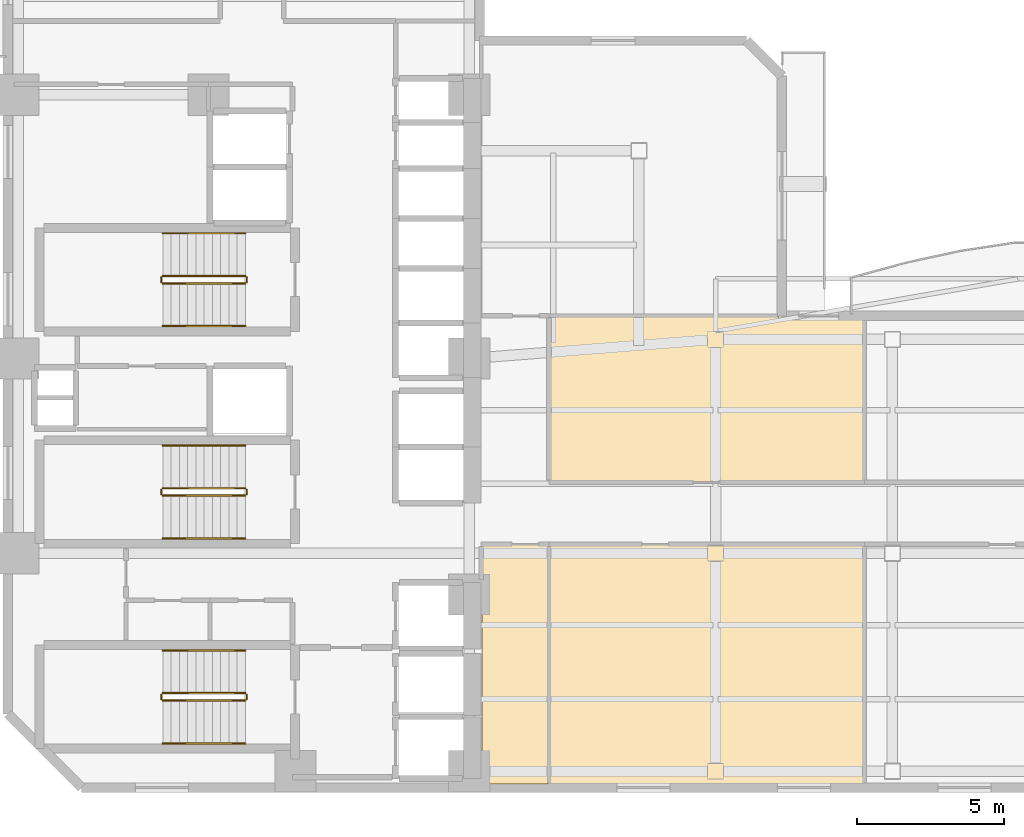
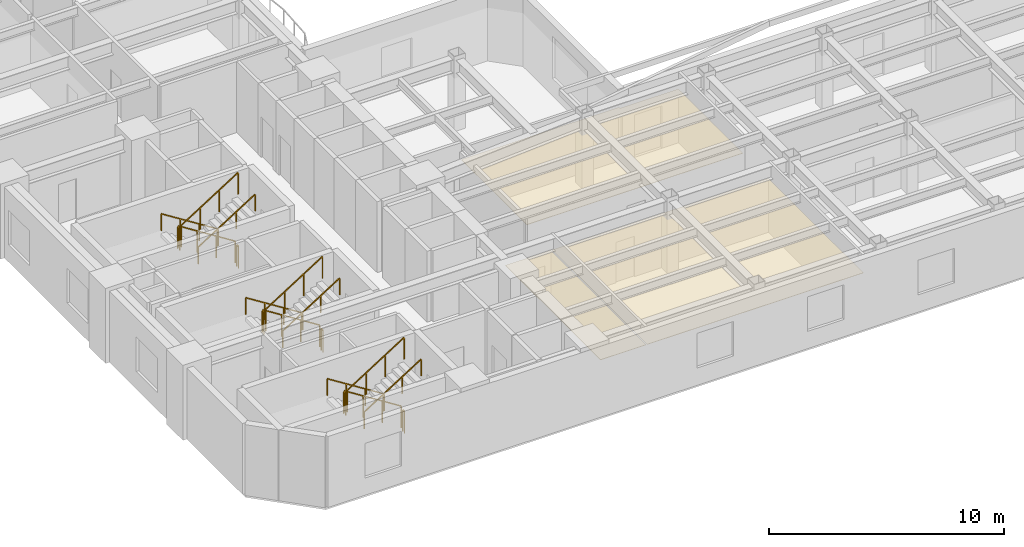
# One storey, part 8 of 11: 18 railings, 3 coverings.
"""IFC4 building model written with IfcOpenShell, lengths in metres."""

from ifc_helpers import new_model, si_unit, direction, frame, origin, origin_2d, place, context, subcontext, project, spatial, polyline, rectangle, outline, extrude, material, layer, layer_set, type_object, element, save


model = new_model("IFC4")

# Units and contexts
model_context = context("Model", 3, precision=1e-05, world=origin(), true_north=direction((0.0, 1.0)))
body_context = subcontext(model_context, "Body", "Model", "MODEL_VIEW")
ifc_project = project(units=[si_unit("LENGTHUNIT", "METRE"), si_unit("AREAUNIT", "SQUARE_METRE"), si_unit("VOLUMEUNIT", "CUBIC_METRE"), si_unit("PLANEANGLEUNIT", "RADIAN"), si_unit("MASSUNIT", "GRAM", prefix="KILO")], contexts=[model_context])

# Site, building, storey
site_placement = place(None, origin())
site = spatial("IfcSite", under=ifc_project, at=site_placement, CompositionType="ELEMENT")
building_placement = place(site_placement, origin())
building = spatial("IfcBuilding", under=site, at=building_placement, Name="Mawjaban Terraces University", CompositionType="ELEMENT")
storey_placement = place(building_placement, frame((0.0, 0.0, 77.800048828125)))
storey = spatial("IfcBuildingStorey", under=building, at=storey_placement, Name="L18", CompositionType="ELEMENT", Elevation=77.800048828125)

# Coverings
ifc_material_1 = material(Name="Acoustic mineral fibre ceiling tile", Category="masonry")
ifc_layer = layer(ifc_material_1, 0.02001953125)
ifc_layer_set = layer_set([ifc_layer], Name="Acoustic mineral fibre ceiling tile")
covering_type = type_object("IfcCoveringType", Name="AcousticMineralCeiling_20", PredefinedType="CEILING", material=ifc_layer_set)
covering_1_placement = place(storey_placement, frame((0.0, 0.0, 2.75)))
element("IfcCovering", 1, at=covering_1_placement, inside=storey, type_object=covering_type, Name="L18 Academic Counseling Room 1 Acoustic Ceiling", PredefinedType="CEILING", context=body_context, shape_type="SweptSolid", body=[
    extrude(outline(polyline([(38.080078125, 0.114990234375), (40.320068359375, 0.114990234375), (40.320068359375, 8.219970703125), (38.080078125, 8.219970703125), (38.080078125, 0.114990234375)])), origin(), (0.0, 0.0, 1.0), 0.02001953125),
])
covering_2_placement = place(storey_placement, frame((0.0, 0.0, 2.75)))
element("IfcCovering", 2, at=covering_2_placement, inside=storey, type_object=covering_type, Name="L18 Academic Counseling Room 2 Acoustic Ceiling", PredefinedType="CEILING", context=body_context, shape_type="SweptSolid", body=[
    extrude(outline(polyline([(40.3798828125, 0.114990234375), (51.014892578125, 0.114990234375), (51.014892578125, 8.219970703125), (40.3798828125, 8.219970703125), (40.3798828125, 0.114990234375)])), origin(), (0.0, 0.0, 1.0), 0.02001953125),
])
covering_3_placement = place(storey_placement, frame((0.0, 0.0, 2.75)))
element("IfcCovering", 3, at=covering_3_placement, inside=storey, type_object=covering_type, Name="L18 Academic Counseling Room 3 Acoustic Ceiling", PredefinedType="CEILING", context=body_context, shape_type="SweptSolid", body=[
    extrude(outline(polyline([(51.014892578125, 15.885009765625), (48.135009765625, 15.885009765625), (48.135009765625, 15.969970703125), (40.3798828125, 15.969970703125), (40.3798828125, 10.3798828125), (51.014892578125, 10.3798828125), (51.014892578125, 15.885009765625)])), origin(), (0.0, 0.0, 1.0), 0.02001953125),
])

# Railings
ifc_material_2 = material(Name="Brushed stainless steel 316", Category="steel")
railing_type_1 = type_object("IfcRailingType", Name="StairWallHandrail_900", PredefinedType="HANDRAIL", material=ifc_material_2)
railing_1_placement = place(storey_placement, frame((30.050048828125, 4.64990234375, 0.17724609375)))
element("IfcRailing", 4, at=railing_1_placement, inside=storey, type_object=railing_type_1, Name="L18 ST-1 stair handrail 1", PredefinedType="HANDRAIL", context=body_context, shape_type="SweptSolid", body=[
    extrude(rectangle(XDim=0.048095703125, YDim=0.048095703125, at=origin_2d()), frame((0.0, 0.0, 0.8759765625), z_axis=(-0.844908973607, 0.0, 0.534910110503), x_axis=(0.0, -1.0, 0.0)), (0.0, 0.0, 1.0), 3.31396484375),
    extrude(rectangle(XDim=0.0419921875, YDim=0.0419921875, at=origin_2d()), origin(), (0.0, 0.0, 1.0), 0.851806640625),
    extrude(rectangle(XDim=0.0419921875, YDim=0.0419921875, at=origin_2d()), frame((-0.933349609375, 0.0, 0.5908203125)), (0.0, 0.0, 1.0), 0.851806640625),
    extrude(rectangle(XDim=0.0419921875, YDim=0.0419921875, at=origin_2d()), frame((-1.86669921875, 0.0, 1.181884765625)), (0.0, 0.0, 1.0), 0.851806640625),
    extrude(rectangle(XDim=0.0419921875, YDim=0.0419921875, at=origin_2d()), frame((-2.800048828125, 0.0, 1.772705078125)), (0.0, 0.0, 1.0), 0.851806640625),
])
railing_2_placement = place(storey_placement, frame((27.25, 1.5, 2.127197265625)))
element("IfcRailing", 5, at=railing_2_placement, inside=storey, type_object=railing_type_1, Name="L18 ST-1 stair handrail 2", PredefinedType="HANDRAIL", context=body_context, shape_type="SweptSolid", body=[
    extrude(rectangle(XDim=0.048095703125, YDim=0.048095703125, at=origin_2d()), frame((0.0, 0.0, 0.8759765625), z_axis=(0.844908973607, 0.0, 0.534910110503), x_axis=(0.0, 1.0, 0.0)), (0.0, 0.0, 1.0), 3.31396484375),
    extrude(rectangle(XDim=0.0419921875, YDim=0.0419921875, at=origin_2d()), origin(), (0.0, 0.0, 1.0), 0.851806640625),
    extrude(rectangle(XDim=0.0419921875, YDim=0.0419921875, at=origin_2d()), frame((0.933349609375, 0.0, 0.5908203125)), (0.0, 0.0, 1.0), 0.851806640625),
    extrude(rectangle(XDim=0.0419921875, YDim=0.0419921875, at=origin_2d()), frame((1.86669921875, 0.0, 1.181884765625)), (0.0, 0.0, 1.0), 0.851806640625),
    extrude(rectangle(XDim=0.0419921875, YDim=0.0419921875, at=origin_2d()), frame((2.800048828125, 0.0, 1.772705078125)), (0.0, 0.0, 1.0), 0.851806640625),
])
railing_3_placement = place(storey_placement, frame((30.050048828125, 18.800048828125, 0.17724609375)))
element("IfcRailing", 6, at=railing_3_placement, inside=storey, type_object=railing_type_1, Name="L18 ST-2 stair handrail 1", PredefinedType="HANDRAIL", context=body_context, shape_type="SweptSolid", body=[
    extrude(rectangle(XDim=0.048095703125, YDim=0.048095703125, at=origin_2d()), frame((0.0, 0.0, 0.8759765625), z_axis=(-0.844908973607, 0.0, 0.534910110503), x_axis=(0.0, -1.0, 0.0)), (0.0, 0.0, 1.0), 3.31396484375),
    extrude(rectangle(XDim=0.0419921875, YDim=0.0419921875, at=origin_2d()), origin(), (0.0, 0.0, 1.0), 0.851806640625),
    extrude(rectangle(XDim=0.0419921875, YDim=0.0419921875, at=origin_2d()), frame((-0.933349609375, 0.0, 0.5908203125)), (0.0, 0.0, 1.0), 0.851806640625),
    extrude(rectangle(XDim=0.0419921875, YDim=0.0419921875, at=origin_2d()), frame((-1.86669921875, 0.0, 1.181884765625)), (0.0, 0.0, 1.0), 0.851806640625),
    extrude(rectangle(XDim=0.0419921875, YDim=0.0419921875, at=origin_2d()), frame((-2.800048828125, 0.0, 1.772705078125)), (0.0, 0.0, 1.0), 0.851806640625),
])
railing_4_placement = place(storey_placement, frame((27.25, 15.64990234375, 2.127197265625)))
element("IfcRailing", 7, at=railing_4_placement, inside=storey, type_object=railing_type_1, Name="L18 ST-2 stair handrail 2", PredefinedType="HANDRAIL", context=body_context, shape_type="SweptSolid", body=[
    extrude(rectangle(XDim=0.048095703125, YDim=0.048095703125, at=origin_2d()), frame((0.0, 0.0, 0.8759765625), z_axis=(0.844908973607, 0.0, 0.534910110503), x_axis=(0.0, 1.0, 0.0)), (0.0, 0.0, 1.0), 3.31396484375),
    extrude(rectangle(XDim=0.0419921875, YDim=0.0419921875, at=origin_2d()), origin(), (0.0, 0.0, 1.0), 0.851806640625),
    extrude(rectangle(XDim=0.0419921875, YDim=0.0419921875, at=origin_2d()), frame((0.933349609375, 0.0, 0.5908203125)), (0.0, 0.0, 1.0), 0.851806640625),
    extrude(rectangle(XDim=0.0419921875, YDim=0.0419921875, at=origin_2d()), frame((1.86669921875, 0.0, 1.181884765625)), (0.0, 0.0, 1.0), 0.851806640625),
    extrude(rectangle(XDim=0.0419921875, YDim=0.0419921875, at=origin_2d()), frame((2.800048828125, 0.0, 1.772705078125)), (0.0, 0.0, 1.0), 0.851806640625),
])
railing_5_placement = place(storey_placement, frame((30.050048828125, 11.60009765625, 0.17724609375)))
element("IfcRailing", 8, at=railing_5_placement, inside=storey, type_object=railing_type_1, Name="L18 ST-3 stair handrail 1", PredefinedType="HANDRAIL", context=body_context, shape_type="SweptSolid", body=[
    extrude(rectangle(XDim=0.048095703125, YDim=0.048095703125, at=origin_2d()), frame((0.0, 0.0, 0.8759765625), z_axis=(-0.844908973607, 0.0, 0.534910110503), x_axis=(0.0, -1.0, 0.0)), (0.0, 0.0, 1.0), 3.31396484375),
    extrude(rectangle(XDim=0.0419921875, YDim=0.0419921875, at=origin_2d()), origin(), (0.0, 0.0, 1.0), 0.851806640625),
    extrude(rectangle(XDim=0.0419921875, YDim=0.0419921875, at=origin_2d()), frame((-0.933349609375, 0.0, 0.5908203125)), (0.0, 0.0, 1.0), 0.851806640625),
    extrude(rectangle(XDim=0.0419921875, YDim=0.0419921875, at=origin_2d()), frame((-1.86669921875, 0.0, 1.181884765625)), (0.0, 0.0, 1.0), 0.851806640625),
    extrude(rectangle(XDim=0.0419921875, YDim=0.0419921875, at=origin_2d()), frame((-2.800048828125, 0.0, 1.772705078125)), (0.0, 0.0, 1.0), 0.851806640625),
])
railing_6_placement = place(storey_placement, frame((27.25, 8.449951171875, 2.127197265625)))
element("IfcRailing", 9, at=railing_6_placement, inside=storey, type_object=railing_type_1, Name="L18 ST-3 stair handrail 2", PredefinedType="HANDRAIL", context=body_context, shape_type="SweptSolid", body=[
    extrude(rectangle(XDim=0.048095703125, YDim=0.048095703125, at=origin_2d()), frame((0.0, 0.0, 0.8759765625), z_axis=(0.844908973607, 0.0, 0.534910110503), x_axis=(0.0, 1.0, 0.0)), (0.0, 0.0, 1.0), 3.31396484375),
    extrude(rectangle(XDim=0.0419921875, YDim=0.0419921875, at=origin_2d()), origin(), (0.0, 0.0, 1.0), 0.851806640625),
    extrude(rectangle(XDim=0.0419921875, YDim=0.0419921875, at=origin_2d()), frame((0.933349609375, 0.0, 0.5908203125)), (0.0, 0.0, 1.0), 0.851806640625),
    extrude(rectangle(XDim=0.0419921875, YDim=0.0419921875, at=origin_2d()), frame((1.86669921875, 0.0, 1.181884765625)), (0.0, 0.0, 1.0), 0.851806640625),
    extrude(rectangle(XDim=0.0419921875, YDim=0.0419921875, at=origin_2d()), frame((2.800048828125, 0.0, 1.772705078125)), (0.0, 0.0, 1.0), 0.851806640625),
])
ifc_material_3 = material(Name="Galvanised painted steel S355", Category="steel")
railing_type_2 = type_object("IfcRailingType", Name="StairWellGuard_1150", PredefinedType="BALUSTRADE", material=ifc_material_3)
railing_7_placement = place(storey_placement, frame((30.050048828125, 3.199951171875, 0.17724609375)))
element("IfcRailing", 10, at=railing_7_placement, inside=storey, type_object=railing_type_2, Name="L18 ST-1 stair guard 1", PredefinedType="BALUSTRADE", context=body_context, shape_type="SweptSolid", body=[
    extrude(rectangle(XDim=0.048095703125, YDim=0.048095703125, at=origin_2d()), frame((0.0, 0.0, 1.1259765625), z_axis=(-0.844908973607, 0.0, 0.534910110503), x_axis=(0.0, -1.0, 0.0)), (0.0, 0.0, 1.0), 3.31396484375),
    extrude(rectangle(XDim=0.0419921875, YDim=0.0419921875, at=origin_2d()), origin(), (0.0, 0.0, 1.0), 1.101806640625),
    extrude(rectangle(XDim=0.0419921875, YDim=0.0419921875, at=origin_2d()), frame((-0.933349609375, 0.0, 0.5908203125)), (0.0, 0.0, 1.0), 1.101806640625),
    extrude(rectangle(XDim=0.0419921875, YDim=0.0419921875, at=origin_2d()), frame((-1.86669921875, 0.0, 1.181884765625)), (0.0, 0.0, 1.0), 1.101806640625),
    extrude(rectangle(XDim=0.0419921875, YDim=0.0419921875, at=origin_2d()), frame((-2.800048828125, 0.0, 1.772705078125)), (0.0, 0.0, 1.0), 1.101806640625),
])
railing_8_placement = place(storey_placement, frame((27.199951171875, 3.14990234375, 1.949951171875)))
element("IfcRailing", 11, at=railing_8_placement, inside=storey, type_object=railing_type_2, Name="L18 ST-1 stair guard 2", PredefinedType="BALUSTRADE", context=body_context, shape_type="SweptSolid", body=[
    extrude(rectangle(XDim=0.048095703125, YDim=0.048095703125, at=origin_2d()), frame((0.0, 0.0, 1.1259765625), z_axis=(0.0, -1.0, 0.0), x_axis=(1.0, 0.0, 0.0)), (0.0, 0.0, 1.0), 0.14990234375),
    extrude(rectangle(XDim=0.0419921875, YDim=0.0419921875, at=origin_2d()), origin(), (0.0, 0.0, 1.0), 1.101806640625),
    extrude(rectangle(XDim=0.0419921875, YDim=0.0419921875, at=origin_2d()), frame((0.0, -0.14990234375, 0.0)), (0.0, 0.0, 1.0), 1.101806640625),
])
railing_9_placement = place(storey_placement, frame((27.25, 2.949951171875, 2.127197265625)))
element("IfcRailing", 12, at=railing_9_placement, inside=storey, type_object=railing_type_2, Name="L18 ST-1 stair guard 3", PredefinedType="BALUSTRADE", context=body_context, shape_type="SweptSolid", body=[
    extrude(rectangle(XDim=0.048095703125, YDim=0.048095703125, at=origin_2d()), frame((0.0, 0.0, 1.1259765625), z_axis=(0.844908973607, 0.0, 0.534910110503), x_axis=(0.0, 1.0, 0.0)), (0.0, 0.0, 1.0), 3.31396484375),
    extrude(rectangle(XDim=0.0419921875, YDim=0.0419921875, at=origin_2d()), origin(), (0.0, 0.0, 1.0), 1.101806640625),
    extrude(rectangle(XDim=0.0419921875, YDim=0.0419921875, at=origin_2d()), frame((0.933349609375, 0.0, 0.5908203125)), (0.0, 0.0, 1.0), 1.101806640625),
    extrude(rectangle(XDim=0.0419921875, YDim=0.0419921875, at=origin_2d()), frame((1.86669921875, 0.0, 1.181884765625)), (0.0, 0.0, 1.0), 1.101806640625),
    extrude(rectangle(XDim=0.0419921875, YDim=0.0419921875, at=origin_2d()), frame((2.800048828125, 0.0, 1.772705078125)), (0.0, 0.0, 1.0), 1.101806640625),
])
railing_10_placement = place(storey_placement, frame((30.10009765625, 3.14990234375, 0.0)))
element("IfcRailing", 13, at=railing_10_placement, inside=storey, type_object=railing_type_2, Name="L18 ST-1 stair guard 4", PredefinedType="BALUSTRADE", context=body_context, shape_type="SweptSolid", body=[
    extrude(rectangle(XDim=0.048095703125, YDim=0.048095703125, at=origin_2d()), frame((0.0, 0.0, 1.1259765625), z_axis=(0.0, -1.0, 0.0), x_axis=(1.0, 0.0, 0.0)), (0.0, 0.0, 1.0), 0.14990234375),
    extrude(rectangle(XDim=0.0419921875, YDim=0.0419921875, at=origin_2d()), origin(), (0.0, 0.0, 1.0), 1.101806640625),
    extrude(rectangle(XDim=0.0419921875, YDim=0.0419921875, at=origin_2d()), frame((0.0, -0.14990234375, 0.0)), (0.0, 0.0, 1.0), 1.101806640625),
])
railing_11_placement = place(storey_placement, frame((30.050048828125, 17.35009765625, 0.17724609375)))
element("IfcRailing", 14, at=railing_11_placement, inside=storey, type_object=railing_type_2, Name="L18 ST-2 stair guard 1", PredefinedType="BALUSTRADE", context=body_context, shape_type="SweptSolid", body=[
    extrude(rectangle(XDim=0.048095703125, YDim=0.048095703125, at=origin_2d()), frame((0.0, 0.0, 1.1259765625), z_axis=(-0.844908973607, 0.0, 0.534910110503), x_axis=(0.0, -1.0, 0.0)), (0.0, 0.0, 1.0), 3.31396484375),
    extrude(rectangle(XDim=0.0419921875, YDim=0.0419921875, at=origin_2d()), origin(), (0.0, 0.0, 1.0), 1.101806640625),
    extrude(rectangle(XDim=0.0419921875, YDim=0.0419921875, at=origin_2d()), frame((-0.933349609375, 0.0, 0.5908203125)), (0.0, 0.0, 1.0), 1.101806640625),
    extrude(rectangle(XDim=0.0419921875, YDim=0.0419921875, at=origin_2d()), frame((-1.86669921875, 0.0, 1.181884765625)), (0.0, 0.0, 1.0), 1.101806640625),
    extrude(rectangle(XDim=0.0419921875, YDim=0.0419921875, at=origin_2d()), frame((-2.800048828125, 0.0, 1.772705078125)), (0.0, 0.0, 1.0), 1.101806640625),
])
railing_12_placement = place(storey_placement, frame((27.199951171875, 17.300048828125, 1.949951171875)))
element("IfcRailing", 15, at=railing_12_placement, inside=storey, type_object=railing_type_2, Name="L18 ST-2 stair guard 2", PredefinedType="BALUSTRADE", context=body_context, shape_type="SweptSolid", body=[
    extrude(rectangle(XDim=0.048095703125, YDim=0.048095703125, at=origin_2d()), frame((0.0, 0.0, 1.1259765625), z_axis=(0.0, -1.0, 0.0), x_axis=(1.0, 0.0, 0.0)), (0.0, 0.0, 1.0), 0.150146484375),
    extrude(rectangle(XDim=0.0419921875, YDim=0.0419921875, at=origin_2d()), origin(), (0.0, 0.0, 1.0), 1.101806640625),
    extrude(rectangle(XDim=0.0419921875, YDim=0.0419921875, at=origin_2d()), frame((0.0, -0.150146484375, 0.0)), (0.0, 0.0, 1.0), 1.101806640625),
])
railing_13_placement = place(storey_placement, frame((27.25, 17.10009765625, 2.127197265625)))
element("IfcRailing", 16, at=railing_13_placement, inside=storey, type_object=railing_type_2, Name="L18 ST-2 stair guard 3", PredefinedType="BALUSTRADE", context=body_context, shape_type="SweptSolid", body=[
    extrude(rectangle(XDim=0.048095703125, YDim=0.048095703125, at=origin_2d()), frame((0.0, 0.0, 1.1259765625), z_axis=(0.844908973607, 0.0, 0.534910110503), x_axis=(0.0, 1.0, 0.0)), (0.0, 0.0, 1.0), 3.31396484375),
    extrude(rectangle(XDim=0.0419921875, YDim=0.0419921875, at=origin_2d()), origin(), (0.0, 0.0, 1.0), 1.101806640625),
    extrude(rectangle(XDim=0.0419921875, YDim=0.0419921875, at=origin_2d()), frame((0.933349609375, 0.0, 0.5908203125)), (0.0, 0.0, 1.0), 1.101806640625),
    extrude(rectangle(XDim=0.0419921875, YDim=0.0419921875, at=origin_2d()), frame((1.86669921875, 0.0, 1.181884765625)), (0.0, 0.0, 1.0), 1.101806640625),
    extrude(rectangle(XDim=0.0419921875, YDim=0.0419921875, at=origin_2d()), frame((2.800048828125, 0.0, 1.772705078125)), (0.0, 0.0, 1.0), 1.101806640625),
])
railing_14_placement = place(storey_placement, frame((30.10009765625, 17.300048828125, 0.0)))
element("IfcRailing", 17, at=railing_14_placement, inside=storey, type_object=railing_type_2, Name="L18 ST-2 stair guard 4", PredefinedType="BALUSTRADE", context=body_context, shape_type="SweptSolid", body=[
    extrude(rectangle(XDim=0.048095703125, YDim=0.048095703125, at=origin_2d()), frame((0.0, 0.0, 1.1259765625), z_axis=(0.0, -1.0, 0.0), x_axis=(1.0, 0.0, 0.0)), (0.0, 0.0, 1.0), 0.150146484375),
    extrude(rectangle(XDim=0.0419921875, YDim=0.0419921875, at=origin_2d()), origin(), (0.0, 0.0, 1.0), 1.101806640625),
    extrude(rectangle(XDim=0.0419921875, YDim=0.0419921875, at=origin_2d()), frame((0.0, -0.150146484375, 0.0)), (0.0, 0.0, 1.0), 1.101806640625),
])
railing_15_placement = place(storey_placement, frame((30.050048828125, 10.14990234375, 0.17724609375)))
element("IfcRailing", 18, at=railing_15_placement, inside=storey, type_object=railing_type_2, Name="L18 ST-3 stair guard 1", PredefinedType="BALUSTRADE", context=body_context, shape_type="SweptSolid", body=[
    extrude(rectangle(XDim=0.048095703125, YDim=0.048095703125, at=origin_2d()), frame((0.0, 0.0, 1.1259765625), z_axis=(-0.844908973607, 0.0, 0.534910110503), x_axis=(0.0, -1.0, 0.0)), (0.0, 0.0, 1.0), 3.31396484375),
    extrude(rectangle(XDim=0.0419921875, YDim=0.0419921875, at=origin_2d()), origin(), (0.0, 0.0, 1.0), 1.101806640625),
    extrude(rectangle(XDim=0.0419921875, YDim=0.0419921875, at=origin_2d()), frame((-0.933349609375, 0.0, 0.5908203125)), (0.0, 0.0, 1.0), 1.101806640625),
    extrude(rectangle(XDim=0.0419921875, YDim=0.0419921875, at=origin_2d()), frame((-1.86669921875, 0.0, 1.181884765625)), (0.0, 0.0, 1.0), 1.101806640625),
    extrude(rectangle(XDim=0.0419921875, YDim=0.0419921875, at=origin_2d()), frame((-2.800048828125, 0.0, 1.772705078125)), (0.0, 0.0, 1.0), 1.101806640625),
])
railing_16_placement = place(storey_placement, frame((27.199951171875, 10.10009765625, 1.949951171875)))
element("IfcRailing", 19, at=railing_16_placement, inside=storey, type_object=railing_type_2, Name="L18 ST-3 stair guard 2", PredefinedType="BALUSTRADE", context=body_context, shape_type="SweptSolid", body=[
    extrude(rectangle(XDim=0.048095703125, YDim=0.048095703125, at=origin_2d()), frame((0.0, 0.0, 1.1259765625), z_axis=(0.0, -1.0, 0.0), x_axis=(1.0, 0.0, 0.0)), (0.0, 0.0, 1.0), 0.150146484375),
    extrude(rectangle(XDim=0.0419921875, YDim=0.0419921875, at=origin_2d()), origin(), (0.0, 0.0, 1.0), 1.101806640625),
    extrude(rectangle(XDim=0.0419921875, YDim=0.0419921875, at=origin_2d()), frame((0.0, -0.150146484375, 0.0)), (0.0, 0.0, 1.0), 1.101806640625),
])
railing_17_placement = place(storey_placement, frame((27.25, 9.89990234375, 2.127197265625)))
element("IfcRailing", 20, at=railing_17_placement, inside=storey, type_object=railing_type_2, Name="L18 ST-3 stair guard 3", PredefinedType="BALUSTRADE", context=body_context, shape_type="SweptSolid", body=[
    extrude(rectangle(XDim=0.048095703125, YDim=0.048095703125, at=origin_2d()), frame((0.0, 0.0, 1.1259765625), z_axis=(0.844908973607, 0.0, 0.534910110503), x_axis=(0.0, 1.0, 0.0)), (0.0, 0.0, 1.0), 3.31396484375),
    extrude(rectangle(XDim=0.0419921875, YDim=0.0419921875, at=origin_2d()), origin(), (0.0, 0.0, 1.0), 1.101806640625),
    extrude(rectangle(XDim=0.0419921875, YDim=0.0419921875, at=origin_2d()), frame((0.933349609375, 0.0, 0.5908203125)), (0.0, 0.0, 1.0), 1.101806640625),
    extrude(rectangle(XDim=0.0419921875, YDim=0.0419921875, at=origin_2d()), frame((1.86669921875, 0.0, 1.181884765625)), (0.0, 0.0, 1.0), 1.101806640625),
    extrude(rectangle(XDim=0.0419921875, YDim=0.0419921875, at=origin_2d()), frame((2.800048828125, 0.0, 1.772705078125)), (0.0, 0.0, 1.0), 1.101806640625),
])
railing_18_placement = place(storey_placement, frame((30.10009765625, 10.10009765625, 0.0)))
element("IfcRailing", 21, at=railing_18_placement, inside=storey, type_object=railing_type_2, Name="L18 ST-3 stair guard 4", PredefinedType="BALUSTRADE", context=body_context, shape_type="SweptSolid", body=[
    extrude(rectangle(XDim=0.048095703125, YDim=0.048095703125, at=origin_2d()), frame((0.0, 0.0, 1.1259765625), z_axis=(0.0, -1.0, 0.0), x_axis=(1.0, 0.0, 0.0)), (0.0, 0.0, 1.0), 0.150146484375),
    extrude(rectangle(XDim=0.0419921875, YDim=0.0419921875, at=origin_2d()), origin(), (0.0, 0.0, 1.0), 1.101806640625),
    extrude(rectangle(XDim=0.0419921875, YDim=0.0419921875, at=origin_2d()), frame((0.0, -0.150146484375, 0.0)), (0.0, 0.0, 1.0), 1.101806640625),
])

save(model, "model.ifc")
